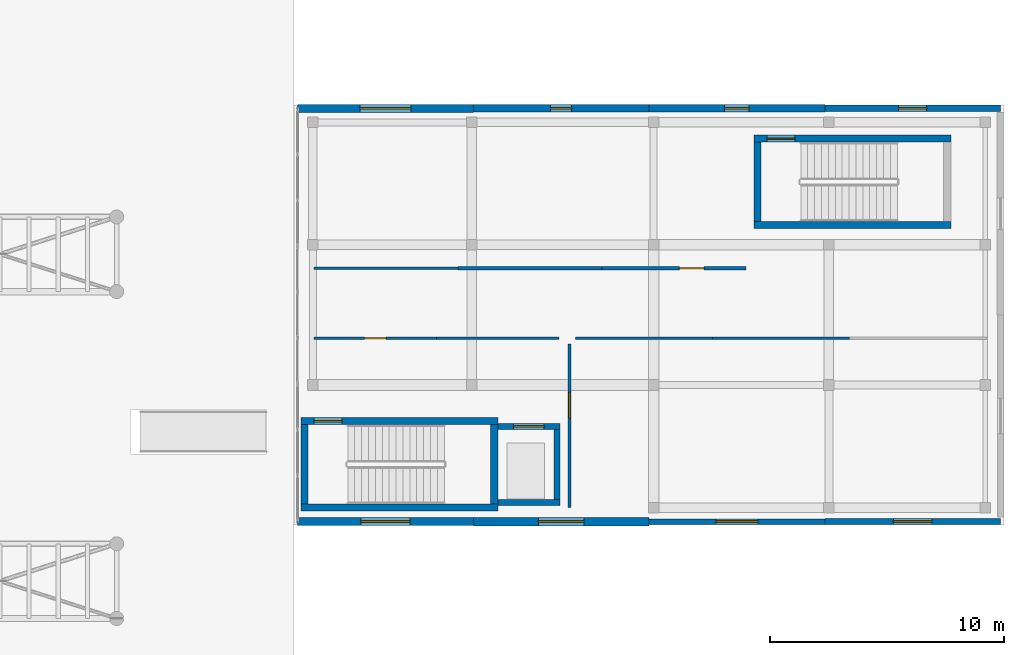
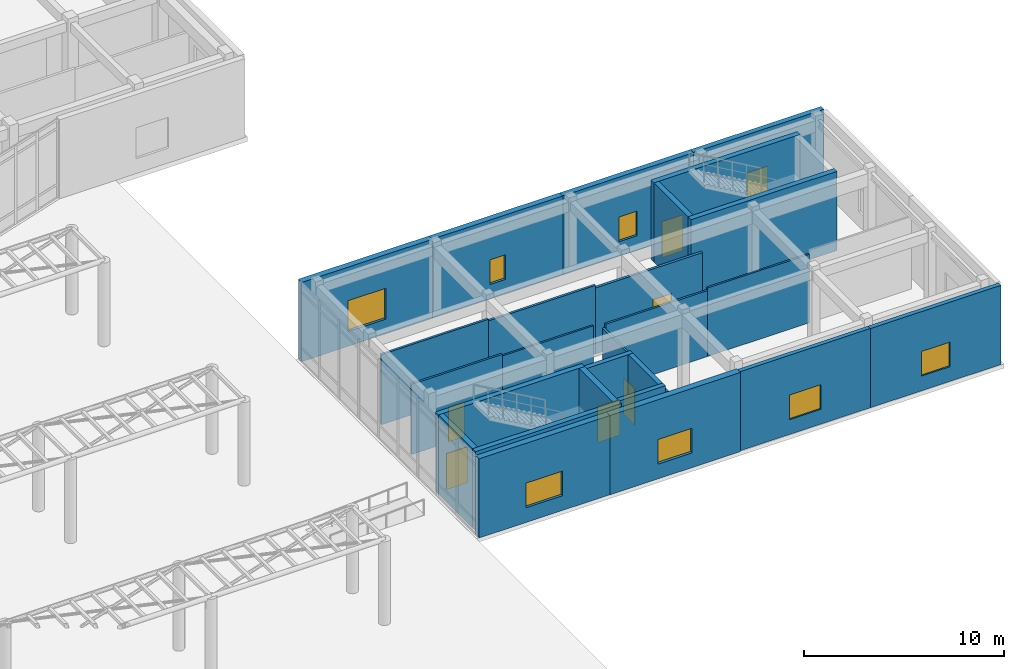
# One storey, part 106 of 121: 26 walls, 8 windows, 6 doors, 14 openings.
"""IFC4 building model written with IfcOpenShell, lengths in metres."""

from ifc_helpers import new_model, si_unit, direction, frame, frame_2d, origin, place, context, subcontext, project, spatial, rectangle, extrude, material, layer, layer_set, type_object, element, fill, save


model = new_model("IFC4")

# Units and contexts
model_context = context("Model", 3, precision=1e-05, world=origin(), true_north=direction((0.0, 1.0)))
body_context = subcontext(model_context, "Body", "Model", "MODEL_VIEW")
ifc_project = project(units=[si_unit("LENGTHUNIT", "METRE"), si_unit("AREAUNIT", "SQUARE_METRE"), si_unit("VOLUMEUNIT", "CUBIC_METRE"), si_unit("PLANEANGLEUNIT", "RADIAN"), si_unit("MASSUNIT", "GRAM", prefix="KILO")], contexts=[model_context])

# Site, building, storey
site_placement = place(None, origin())
site = spatial("IfcSite", under=ifc_project, at=site_placement, CompositionType="ELEMENT")
building_placement = place(site_placement, origin())
building = spatial("IfcBuilding", under=site, at=building_placement, Name="Valcora Specialist Clinic", CompositionType="ELEMENT")
storey_placement = place(building_placement, origin())
storey = spatial("IfcBuildingStorey", under=building, at=storey_placement, Name="L00", CompositionType="ELEMENT", Elevation=0.0)

# Wall
ifc_material_1 = material(Name="Concrete C40/50", Category="concrete")
ifc_layer_1 = layer(ifc_material_1, 0.300048828125)
ifc_layer_set_1 = layer_set([ifc_layer_1], Name="Concrete C40/50")
wall_type_1 = type_object("IfcWallType", Name="TY-WL-CR300", PredefinedType="SHEAR", material=ifc_layer_set_1)
wall_1_placement = place(storey_placement, frame((131.89990234375, 38.75, 0.0), z_axis=(0.0, 0.0, 1.0), x_axis=(1.0, 0.0, 0.0)))
element("IfcWall", 1, at=wall_1_placement, inside=storey, type_object=wall_type_1, Name="Core shear wall WL-CR-C-V3A-L00-S", PredefinedType="SHEAR", context=body_context, shape_type="SweptSolid", body=[
    extrude(rectangle(XDim=8.420166015625, YDim=0.300048828125, at=frame_2d((4.2099609375, 0.0))), origin(), (0.0, 0.0, 1.0), 4.824951171875),
])

# Wall, opening, door
wall_2_placement = place(storey_placement, frame((131.89990234375, 42.449951171875, 0.0), z_axis=(0.0, 0.0, 1.0), x_axis=(1.0, 0.0, 0.0)))
wall_2 = element("IfcWall", 2, at=wall_2_placement, inside=storey, type_object=wall_type_1, Name="Core shear wall WL-CR-C-V3A-L00-N", PredefinedType="SHEAR", context=body_context, shape_type="SweptSolid", body=[
    extrude(rectangle(XDim=8.420166015625, YDim=0.300048828125, at=frame_2d((4.2099609375, 0.0))), origin(), (0.0, 0.0, 1.0), 4.824951171875),
])
opening_1_placement = place(wall_2_placement, frame((0.550048828125, 0.0, 0.0)))
opening_1 = element("IfcOpeningElement", 3, at=opening_1_placement, cuts=wall_2, Name="Opening DR-FD-120", PredefinedType="OPENING", context=body_context, shape_type="SweptSolid", body=[
    extrude(rectangle(XDim=1.199951171875, YDim=2.199951171875, at=frame_2d((0.60009765625, 1.10009765625))), frame((0.0, 0.159912109375, 0.0), z_axis=(0.0, -1.0, 0.0), x_axis=(1.0, 0.0, 0.0)), (0.0, 0.0, 1.0), 0.320068359375),
])
ifc_material_2 = material(Name="Galvanized Hollow Metal Door Steel ASTM A653", Category="steel")
door_type_1 = type_object("IfcDoorType", Name="TY-DR-ST120", OperationType="NOTDEFINED", PredefinedType="DOOR", material=ifc_material_2)
door_1_placement = place(opening_1_placement, origin())
door_1 = element("IfcDoor", 4, at=door_1_placement, inside=storey, type_object=door_type_1, Name="Exit stair fire door C-V3A L00", OperationType="SINGLE_SWING_LEFT", OverallHeight=2.199951171875, OverallWidth=1.199951171875, PredefinedType="DOOR", context=body_context, shape_type="SweptSolid", body=[
    extrude(rectangle(XDim=1.199951171875, YDim=2.199951171875, at=frame_2d((0.60009765625, 1.10009765625))), frame((0.0, 0.02490234375, 0.0), z_axis=(0.0, -1.0, 0.0), x_axis=(1.0, 0.0, 0.0)), (0.0, 0.0, 1.0), 0.050048828125),
])
fill(opening_1, door_1)

# Walls
wall_3_placement = place(storey_placement, frame((132.050048828125, 38.902099609375, 0.0), z_axis=(0.0, 0.0, 1.0), x_axis=(0.0, 1.0, 0.0)))
element("IfcWall", 5, at=wall_3_placement, inside=storey, type_object=wall_type_1, Name="Core shear wall WL-CR-C-V3A-L00-W", PredefinedType="SHEAR", context=body_context, shape_type="SweptSolid", body=[
    extrude(rectangle(XDim=3.39599609375, YDim=0.300048828125, at=frame_2d((1.697998046875, 0.0))), origin(), (0.0, 0.0, 1.0), 4.824951171875),
])
wall_4_placement = place(storey_placement, frame((151.300048828125, 50.85009765625, 0.0), z_axis=(0.0, 0.0, 1.0), x_axis=(1.0, 0.0, 0.0)))
element("IfcWall", 6, at=wall_4_placement, inside=storey, type_object=wall_type_1, Name="Core shear wall WL-CR-C-V3B-L00-S", PredefinedType="SHEAR", context=body_context, shape_type="SweptSolid", body=[
    extrude(rectangle(XDim=8.419921875, YDim=0.300048828125, at=frame_2d((4.2099609375, 0.0))), origin(), (0.0, 0.0, 1.0), 4.824951171875),
])

# Wall, opening, door
wall_5_placement = place(storey_placement, frame((151.300048828125, 54.550048828125, 0.0), z_axis=(0.0, 0.0, 1.0), x_axis=(1.0, 0.0, 0.0)))
wall_5 = element("IfcWall", 7, at=wall_5_placement, inside=storey, type_object=wall_type_1, Name="Core shear wall WL-CR-C-V3B-L00-N", PredefinedType="SHEAR", context=body_context, shape_type="SweptSolid", body=[
    extrude(rectangle(XDim=8.419921875, YDim=0.300048828125, at=frame_2d((4.2099609375, 0.0))), origin(), (0.0, 0.0, 1.0), 4.824951171875),
])
opening_2_placement = place(wall_5_placement, frame((0.550048828125, 0.0, 0.0)))
opening_2 = element("IfcOpeningElement", 8, at=opening_2_placement, cuts=wall_5, Name="Opening DR-FD-120", PredefinedType="OPENING", context=body_context, shape_type="SweptSolid", body=[
    extrude(rectangle(XDim=1.199951171875, YDim=2.199951171875, at=frame_2d((0.60009765625, 1.10009765625))), frame((0.0, 0.159912109375, 0.0), z_axis=(0.0, -1.0, 0.0), x_axis=(1.0, 0.0, 0.0)), (0.0, 0.0, 1.0), 0.320068359375),
])
door_2_placement = place(opening_2_placement, origin())
door_2 = element("IfcDoor", 9, at=door_2_placement, inside=storey, type_object=door_type_1, Name="Exit stair fire door C-V3B L00", OperationType="SINGLE_SWING_LEFT", OverallHeight=2.199951171875, OverallWidth=1.199951171875, PredefinedType="DOOR", context=body_context, shape_type="SweptSolid", body=[
    extrude(rectangle(XDim=1.199951171875, YDim=2.199951171875, at=frame_2d((0.60009765625, 1.10009765625))), frame((0.0, 0.02490234375, 0.0), z_axis=(0.0, -1.0, 0.0), x_axis=(1.0, 0.0, 0.0)), (0.0, 0.0, 1.0), 0.050048828125),
])
fill(opening_2, door_2)

# Walls
wall_6_placement = place(storey_placement, frame((151.449951171875, 51.001953125, 0.0), z_axis=(0.0, 0.0, 1.0), x_axis=(0.0, 1.0, 0.0)))
element("IfcWall", 10, at=wall_6_placement, inside=storey, type_object=wall_type_1, Name="Core shear wall WL-CR-C-V3B-L00-W", PredefinedType="SHEAR", context=body_context, shape_type="SweptSolid", body=[
    extrude(rectangle(XDim=3.39599609375, YDim=0.300048828125, at=frame_2d((1.697998046875, 0.0))), origin(), (0.0, 0.0, 1.0), 4.824951171875),
])
ifc_layer_2 = layer(ifc_material_1, 0.320068359375)
ifc_layer_set_2 = layer_set([ifc_layer_2], Name="Concrete C40/50")
wall_type_2 = type_object("IfcWallType", Name="TY-WL-CR320", PredefinedType="SHEAR", material=ifc_layer_set_2)
wall_7_placement = place(storey_placement, frame((140.159912109375, 38.902099609375, 0.0), z_axis=(0.0, 0.0, 1.0), x_axis=(0.0, 1.0, 0.0)))
element("IfcWall", 11, at=wall_7_placement, inside=storey, type_object=wall_type_2, Name="Core shear wall WL-CR-C-V3A-L00-E", PredefinedType="SHEAR", context=body_context, shape_type="SweptSolid", body=[
    extrude(rectangle(XDim=3.39599609375, YDim=0.320068359375, at=frame_2d((1.697998046875, 0.0))), origin(), (0.0, 0.0, 1.0), 4.824951171875),
])

# Wall, opening, window
ifc_material_3 = material(Name="Extruded Jalisco Clay Brick Masonry", Category="masonry")
ifc_layer_3 = layer(ifc_material_3, 0.235107421875)
ifc_layer_set_3 = layer_set([ifc_layer_3], Name="Extruded Jalisco Clay Brick Masonry")
wall_type_3 = type_object("IfcWallType", Name="TY-WL-EW235", PredefinedType="SOLIDWALL", material=ifc_layer_set_3)
wall_8_placement = place(storey_placement, frame((154.324951171875, 38.14990234375, 0.0), z_axis=(0.0, 0.0, 1.0), x_axis=(-1.0, 0.0, 0.0)))
wall_8 = element("IfcWall", 12, at=wall_8_placement, inside=storey, type_object=wall_type_3, Name="Exterior wall WL-EXT-L00-0110", PredefinedType="SOLIDWALL", context=body_context, shape_type="SweptSolid", body=[
    extrude(rectangle(XDim=7.52490234375, YDim=0.235107421875, at=frame_2d((3.762451171875, 0.0))), origin(), (0.0, 0.0, 1.0), 4.824951171875),
])
opening_3_placement = place(wall_8_placement, frame((2.862060546875, 0.0, 0.89990234375)))
opening_3 = element("IfcOpeningElement", 13, at=opening_3_placement, cuts=wall_8, Name="Opening WN-07", PredefinedType="OPENING", context=body_context, shape_type="SweptSolid", body=[
    extrude(rectangle(XDim=1.800048828125, YDim=1.5, at=frame_2d((0.89990234375, 0.75))), frame((0.0, 0.12744140625, 0.0), z_axis=(0.0, -1.0, 0.0), x_axis=(1.0, 0.0, 0.0)), (0.0, 0.0, 1.0), 0.255126953125),
])
ifc_material_4 = material(Name="Low-E Laminated Insulating Glass", Category="glass")
window_type_1 = type_object("IfcWindowType", Name="TY-WN-07", PartitioningType="SINGLE_PANEL", PredefinedType="WINDOW", material=ifc_material_4)
window_1_placement = place(opening_3_placement, origin())
window_1 = element("IfcWindow", 14, at=window_1_placement, inside=storey, type_object=window_type_1, Name="Facade window WN-L00-0091", OverallHeight=1.5, OverallWidth=1.800048828125, PartitioningType="SINGLE_PANEL", PredefinedType="WINDOW", context=body_context, shape_type="SweptSolid", body=[
    extrude(rectangle(XDim=1.800048828125, YDim=1.5, at=frame_2d((0.89990234375, 0.75))), frame((0.0, 0.030029296875, 0.0), z_axis=(0.0, -1.0, 0.0), x_axis=(1.0, 0.0, 0.0)), (0.0, 0.0, 1.0), 0.06005859375),
])
fill(opening_3, window_1)

ifc_layer_4 = layer(ifc_material_3, 0.25)
ifc_layer_set_4 = layer_set([ifc_layer_4], Name="Extruded Jalisco Clay Brick Masonry")
wall_type_4 = type_object("IfcWallType", Name="TY-WL-EW250", PredefinedType="SOLIDWALL", material=ifc_layer_set_4)
wall_9_placement = place(storey_placement, frame((161.85009765625, 38.14990234375, 0.0), z_axis=(0.0, 0.0, 1.0), x_axis=(-1.0, 0.0, 0.0)))
wall_9 = element("IfcWall", 15, at=wall_9_placement, inside=storey, type_object=wall_type_4, Name="Exterior wall WL-EXT-L00-0109", PredefinedType="SOLIDWALL", context=body_context, shape_type="SweptSolid", body=[
    extrude(rectangle(XDim=7.525146484375, YDim=0.25, at=frame_2d((3.7626953125, 0.0))), origin(), (0.0, 0.0, 1.0), 4.824951171875),
])
opening_4_placement = place(wall_9_placement, frame((2.93798828125, 0.0, 0.89990234375)))
opening_4 = element("IfcOpeningElement", 16, at=opening_4_placement, cuts=wall_9, Name="Opening WN-06", PredefinedType="OPENING", context=body_context, shape_type="SweptSolid", body=[
    extrude(rectangle(XDim=1.64990234375, YDim=1.5, at=frame_2d((0.824951171875, 0.75))), frame((0.0, 0.135009765625, 0.0), z_axis=(0.0, -1.0, 0.0), x_axis=(1.0, 0.0, 0.0)), (0.0, 0.0, 1.0), 0.27001953125),
])
window_type_2 = type_object("IfcWindowType", Name="TY-WN-06", PartitioningType="SINGLE_PANEL", PredefinedType="WINDOW", material=ifc_material_4)
window_2_placement = place(opening_4_placement, origin())
window_2 = element("IfcWindow", 17, at=window_2_placement, inside=storey, type_object=window_type_2, Name="Facade window WN-L00-0090", OverallHeight=1.5, OverallWidth=1.64990234375, PartitioningType="SINGLE_PANEL", PredefinedType="WINDOW", context=body_context, shape_type="SweptSolid", body=[
    extrude(rectangle(XDim=1.64990234375, YDim=1.5, at=frame_2d((0.824951171875, 0.75))), frame((0.0, 0.030029296875, 0.0), z_axis=(0.0, -1.0, 0.0), x_axis=(1.0, 0.0, 0.0)), (0.0, 0.0, 1.0), 0.06005859375),
])
fill(opening_4, window_2)

ifc_layer_5 = layer(ifc_material_3, 0.294921875)
ifc_layer_set_5 = layer_set([ifc_layer_5], Name="Extruded Jalisco Clay Brick Masonry")
wall_type_5 = type_object("IfcWallType", Name="TY-WL-EW295", PredefinedType="SOLIDWALL", material=ifc_layer_set_5)
wall_10_placement = place(storey_placement, frame((154.324951171875, 55.85009765625, 0.0), z_axis=(0.0, 0.0, 1.0), x_axis=(1.0, 0.0, 0.0)))
wall_10 = element("IfcWall", 18, at=wall_10_placement, inside=storey, type_object=wall_type_5, Name="Exterior wall WL-EXT-L00-0106", PredefinedType="SOLIDWALL", context=body_context, shape_type="SweptSolid", body=[
    extrude(rectangle(XDim=7.525146484375, YDim=0.294921875, at=frame_2d((3.7626953125, 0.0))), origin(), (0.0, 0.0, 1.0), 4.824951171875),
])
opening_5_placement = place(wall_10_placement, frame((3.1630859375, 0.0, 0.89990234375)))
opening_5 = element("IfcOpeningElement", 19, at=opening_5_placement, cuts=wall_10, Name="Opening WN-03", PredefinedType="OPENING", context=body_context, shape_type="SweptSolid", body=[
    extrude(rectangle(XDim=1.199951171875, YDim=1.5, at=frame_2d((0.60009765625, 0.75))), frame((0.0, 0.157470703125, 0.0), z_axis=(0.0, -1.0, 0.0), x_axis=(1.0, 0.0, 0.0)), (0.0, 0.0, 1.0), 0.31494140625),
])
window_type_3 = type_object("IfcWindowType", Name="TY-WN-03", PartitioningType="SINGLE_PANEL", PredefinedType="WINDOW", material=ifc_material_4)
window_3_placement = place(opening_5_placement, origin())
window_3 = element("IfcWindow", 20, at=window_3_placement, inside=storey, type_object=window_type_3, Name="Facade window WN-L00-0087", OverallHeight=1.5, OverallWidth=1.199951171875, PartitioningType="SINGLE_PANEL", PredefinedType="WINDOW", context=body_context, shape_type="SweptSolid", body=[
    extrude(rectangle(XDim=1.199951171875, YDim=1.5, at=frame_2d((0.60009765625, 0.75))), frame((0.0, 0.030029296875, 0.0), z_axis=(0.0, -1.0, 0.0), x_axis=(1.0, 0.0, 0.0)), (0.0, 0.0, 1.0), 0.06005859375),
])
fill(opening_5, window_3)

ifc_layer_6 = layer(ifc_material_3, 0.31005859375)
ifc_layer_set_6 = layer_set([ifc_layer_6], Name="Extruded Jalisco Clay Brick Masonry")
wall_type_6 = type_object("IfcWallType", Name="TY-WL-EW310", PredefinedType="SOLIDWALL", material=ifc_layer_set_6)
wall_11_placement = place(storey_placement, frame((146.800048828125, 55.85009765625, 0.0), z_axis=(0.0, 0.0, 1.0), x_axis=(1.0, 0.0, 0.0)))
wall_11 = element("IfcWall", 21, at=wall_11_placement, inside=storey, type_object=wall_type_6, Name="Exterior wall WL-EXT-L00-0105", PredefinedType="SOLIDWALL", context=body_context, shape_type="SweptSolid", body=[
    extrude(rectangle(XDim=7.52490234375, YDim=0.31005859375, at=frame_2d((3.762451171875, 0.0))), origin(), (0.0, 0.0, 1.0), 4.824951171875),
])
opening_6_placement = place(wall_11_placement, frame((3.237060546875, 0.0, 0.89990234375)))
opening_6 = element("IfcOpeningElement", 22, at=opening_6_placement, cuts=wall_11, Name="Opening WN-02", PredefinedType="OPENING", context=body_context, shape_type="SweptSolid", body=[
    extrude(rectangle(XDim=1.050048828125, YDim=1.5, at=frame_2d((0.52490234375, 0.75))), frame((0.0, 0.1650390625, 0.0), z_axis=(0.0, -1.0, 0.0), x_axis=(1.0, 0.0, 0.0)), (0.0, 0.0, 1.0), 0.330078125),
])
window_type_4 = type_object("IfcWindowType", Name="TY-WN-02", PartitioningType="SINGLE_PANEL", PredefinedType="WINDOW", material=ifc_material_4)
window_4_placement = place(opening_6_placement, origin())
window_4 = element("IfcWindow", 23, at=window_4_placement, inside=storey, type_object=window_type_4, Name="Facade window WN-L00-0086", OverallHeight=1.5, OverallWidth=1.050048828125, PartitioningType="SINGLE_PANEL", PredefinedType="WINDOW", context=body_context, shape_type="SweptSolid", body=[
    extrude(rectangle(XDim=1.050048828125, YDim=1.5, at=frame_2d((0.52490234375, 0.75))), frame((0.0, 0.030029296875, 0.0), z_axis=(0.0, -1.0, 0.0), x_axis=(1.0, 0.0, 0.0)), (0.0, 0.0, 1.0), 0.06005859375),
])
fill(opening_6, window_4)

ifc_layer_7 = layer(ifc_material_3, 0.324951171875)
ifc_layer_set_7 = layer_set([ifc_layer_7], Name="Extruded Jalisco Clay Brick Masonry")
wall_type_7 = type_object("IfcWallType", Name="TY-WL-EW325", PredefinedType="SOLIDWALL", material=ifc_layer_set_7)
wall_12_placement = place(storey_placement, frame((139.27490234375, 55.85009765625, 0.0), z_axis=(0.0, 0.0, 1.0), x_axis=(1.0, 0.0, 0.0)))
wall_12 = element("IfcWall", 24, at=wall_12_placement, inside=storey, type_object=wall_type_7, Name="Exterior wall WL-EXT-L00-0104", PredefinedType="SOLIDWALL", context=body_context, shape_type="SweptSolid", body=[
    extrude(rectangle(XDim=7.525146484375, YDim=0.324951171875, at=frame_2d((3.7626953125, 0.0))), origin(), (0.0, 0.0, 1.0), 4.824951171875),
])
opening_7_placement = place(wall_12_placement, frame((3.31298828125, 0.0, 0.89990234375)))
opening_7 = element("IfcOpeningElement", 25, at=opening_7_placement, cuts=wall_12, Name="Opening WN-01", PredefinedType="OPENING", context=body_context, shape_type="SweptSolid", body=[
    extrude(rectangle(XDim=0.89990234375, YDim=1.5, at=frame_2d((0.449951171875, 0.75))), frame((0.0, 0.17236328125, 0.0), z_axis=(0.0, -1.0, 0.0), x_axis=(1.0, 0.0, 0.0)), (0.0, 0.0, 1.0), 0.344970703125),
])
window_type_5 = type_object("IfcWindowType", Name="TY-WN-01", PartitioningType="SINGLE_PANEL", PredefinedType="WINDOW", material=ifc_material_4)
window_5_placement = place(opening_7_placement, origin())
window_5 = element("IfcWindow", 26, at=window_5_placement, inside=storey, type_object=window_type_5, Name="Facade window WN-L00-0085", OverallHeight=1.5, OverallWidth=0.89990234375, PartitioningType="SINGLE_PANEL", PredefinedType="WINDOW", context=body_context, shape_type="SweptSolid", body=[
    extrude(rectangle(XDim=0.89990234375, YDim=1.5, at=frame_2d((0.449951171875, 0.75))), frame((0.0, 0.030029296875, 0.0), z_axis=(0.0, -1.0, 0.0), x_axis=(1.0, 0.0, 0.0)), (0.0, 0.0, 1.0), 0.06005859375),
])
fill(opening_7, window_5)

ifc_layer_8 = layer(ifc_material_3, 0.340087890625)
ifc_layer_set_8 = layer_set([ifc_layer_8], Name="Extruded Jalisco Clay Brick Masonry")
wall_type_8 = type_object("IfcWallType", Name="TY-WL-EW340", PredefinedType="SOLIDWALL", material=ifc_layer_set_8)
wall_13_placement = place(storey_placement, frame((131.75, 55.85009765625, 0.0), z_axis=(0.0, 0.0, 1.0), x_axis=(1.0, 0.0, 0.0)))
wall_13 = element("IfcWall", 27, at=wall_13_placement, inside=storey, type_object=wall_type_8, Name="Exterior wall WL-EXT-L00-0103", PredefinedType="SOLIDWALL", context=body_context, shape_type="SweptSolid", body=[
    extrude(rectangle(XDim=7.52490234375, YDim=0.340087890625, at=frame_2d((3.762451171875, 0.0))), origin(), (0.0, 0.0, 1.0), 4.824951171875),
])
opening_8_placement = place(wall_13_placement, frame((2.673095703125, 0.0, 0.89990234375)))
opening_8 = element("IfcOpeningElement", 28, at=opening_8_placement, cuts=wall_13, Name="Opening WN-42", PredefinedType="OPENING", context=body_context, shape_type="SweptSolid", body=[
    extrude(rectangle(XDim=2.179931640625, YDim=1.8798828125, at=frame_2d((1.08984375, 0.93994140625))), frame((0.0, 0.179931640625, 0.0), z_axis=(0.0, -1.0, 0.0), x_axis=(1.0, 0.0, 0.0)), (0.0, 0.0, 1.0), 0.360107421875),
])
window_type_6 = type_object("IfcWindowType", Name="TY-WN-42", PartitioningType="SINGLE_PANEL", PredefinedType="WINDOW", material=ifc_material_4)
window_6_placement = place(opening_8_placement, origin())
window_6 = element("IfcWindow", 29, at=window_6_placement, inside=storey, type_object=window_type_6, Name="Facade window WN-L00-0084", OverallHeight=1.8798828125, OverallWidth=2.179931640625, PartitioningType="SINGLE_PANEL", PredefinedType="WINDOW", context=body_context, shape_type="SweptSolid", body=[
    extrude(rectangle(XDim=2.179931640625, YDim=1.8798828125, at=frame_2d((1.08984375, 0.93994140625))), frame((0.0, 0.030029296875, 0.0), z_axis=(0.0, -1.0, 0.0), x_axis=(1.0, 0.0, 0.0)), (0.0, 0.0, 1.0), 0.06005859375),
])
fill(opening_8, window_6)

ifc_layer_9 = layer(ifc_material_3, 0.35498046875)
ifc_layer_set_9 = layer_set([ifc_layer_9], Name="Extruded Jalisco Clay Brick Masonry")
wall_type_9 = type_object("IfcWallType", Name="TY-WL-EW355", PredefinedType="SOLIDWALL", material=ifc_layer_set_9)
wall_14_placement = place(storey_placement, frame((139.27490234375, 38.14990234375, 0.0), z_axis=(0.0, 0.0, 1.0), x_axis=(-1.0, 0.0, 0.0)))
wall_14 = element("IfcWall", 30, at=wall_14_placement, inside=storey, type_object=wall_type_9, Name="Exterior wall WL-EXT-L00-0112", PredefinedType="SOLIDWALL", context=body_context, shape_type="SweptSolid", body=[
    extrude(rectangle(XDim=7.52490234375, YDim=0.35498046875, at=frame_2d((3.762451171875, 0.0))), origin(), (0.0, 0.0, 1.0), 4.824951171875),
])
opening_9_placement = place(wall_14_placement, frame((2.712890625, 0.0, 0.89990234375)))
opening_9 = element("IfcOpeningElement", 31, at=opening_9_placement, cuts=wall_14, Name="Opening WN-09", PredefinedType="OPENING", context=body_context, shape_type="SweptSolid", body=[
    extrude(rectangle(XDim=2.10009765625, YDim=1.5, at=frame_2d((1.050048828125, 0.75))), frame((0.0, 0.1875, 0.0), z_axis=(0.0, -1.0, 0.0), x_axis=(1.0, 0.0, 0.0)), (0.0, 0.0, 1.0), 0.375),
])
window_type_7 = type_object("IfcWindowType", Name="TY-WN-09", PartitioningType="SINGLE_PANEL", PredefinedType="WINDOW", material=ifc_material_4)
window_7_placement = place(opening_9_placement, origin())
window_7 = element("IfcWindow", 32, at=window_7_placement, inside=storey, type_object=window_type_7, Name="Facade window WN-L00-0093", OverallHeight=1.5, OverallWidth=2.10009765625, PartitioningType="SINGLE_PANEL", PredefinedType="WINDOW", context=body_context, shape_type="SweptSolid", body=[
    extrude(rectangle(XDim=2.10009765625, YDim=1.5, at=frame_2d((1.050048828125, 0.75))), frame((0.0, 0.030029296875, 0.0), z_axis=(0.0, -1.0, 0.0), x_axis=(1.0, 0.0, 0.0)), (0.0, 0.0, 1.0), 0.06005859375),
])
fill(opening_9, window_7)

ifc_layer_10 = layer(ifc_material_3, 0.3701171875)
ifc_layer_set_10 = layer_set([ifc_layer_10], Name="Extruded Jalisco Clay Brick Masonry")
wall_type_10 = type_object("IfcWallType", Name="TY-WL-EW370", PredefinedType="SOLIDWALL", material=ifc_layer_set_10)
wall_15_placement = place(storey_placement, frame((146.800048828125, 38.14990234375, 0.0), z_axis=(0.0, 0.0, 1.0), x_axis=(-1.0, 0.0, 0.0)))
wall_15 = element("IfcWall", 33, at=wall_15_placement, inside=storey, type_object=wall_type_10, Name="Exterior wall WL-EXT-L00-0111", PredefinedType="SOLIDWALL", context=body_context, shape_type="SweptSolid", body=[
    extrude(rectangle(XDim=7.525146484375, YDim=0.3701171875, at=frame_2d((3.7626953125, 0.0))), origin(), (0.0, 0.0, 1.0), 4.824951171875),
])
opening_10_placement = place(wall_15_placement, frame((2.7880859375, 0.0, 0.89990234375)))
opening_10 = element("IfcOpeningElement", 34, at=opening_10_placement, cuts=wall_15, Name="Opening WN-08", PredefinedType="OPENING", context=body_context, shape_type="SweptSolid", body=[
    extrude(rectangle(XDim=1.949951171875, YDim=1.5, at=frame_2d((0.97509765625, 0.75))), frame((0.0, 0.195068359375, 0.0), z_axis=(0.0, -1.0, 0.0), x_axis=(1.0, 0.0, 0.0)), (0.0, 0.0, 1.0), 0.39013671875),
])
window_type_8 = type_object("IfcWindowType", Name="TY-WN-08", PartitioningType="SINGLE_PANEL", PredefinedType="WINDOW", material=ifc_material_4)
window_8_placement = place(opening_10_placement, origin())
window_8 = element("IfcWindow", 35, at=window_8_placement, inside=storey, type_object=window_type_8, Name="Facade window WN-L00-0092", OverallHeight=1.5, OverallWidth=1.949951171875, PartitioningType="SINGLE_PANEL", PredefinedType="WINDOW", context=body_context, shape_type="SweptSolid", body=[
    extrude(rectangle(XDim=1.949951171875, YDim=1.5, at=frame_2d((0.97509765625, 0.75))), frame((0.0, 0.030029296875, 0.0), z_axis=(0.0, -1.0, 0.0), x_axis=(1.0, 0.0, 0.0)), (0.0, 0.0, 1.0), 0.06005859375),
])
fill(opening_10, window_8)

# Walls
ifc_material_5 = material(Name="Gypsum Board Partition Assembly")
ifc_layer_11 = layer(ifc_material_5, 0.10498046875)
ifc_layer_set_11 = layer_set([ifc_layer_11], Name="Gypsum Board Partition Assembly")
wall_type_11 = type_object("IfcWallType", Name="TY-WL-PT105", PredefinedType="PARTITIONING", material=ifc_layer_set_11)
wall_16_placement = place(storey_placement, frame((149.51708984375, 46.0, 0.0), z_axis=(0.0, 0.0, 1.0), x_axis=(1.0, 0.0, 0.0)))
element("IfcWall", 36, at=wall_16_placement, inside=storey, type_object=wall_type_11, Name="Interior partition WL-INT-L00-0064", PredefinedType="PARTITIONING", context=body_context, shape_type="SweptSolid", body=[
    extrude(rectangle(XDim=5.865966796875, YDim=0.10498046875, at=frame_2d((2.93310546875, 0.0))), origin(), (0.0, 0.0, 1.0), 4.175048828125),
])
wall_17_placement = place(storey_placement, frame((137.699951171875, 46.0, 0.0), z_axis=(0.0, 0.0, 1.0), x_axis=(1.0, 0.0, 0.0)))
element("IfcWall", 37, at=wall_17_placement, inside=storey, type_object=wall_type_11, Name="Interior partition WL-INT-L00-0070", PredefinedType="PARTITIONING", context=body_context, shape_type="SweptSolid", body=[
    extrude(rectangle(XDim=5.25, YDim=0.10498046875, at=frame_2d((2.625, 0.0))), origin(), (0.0, 0.0, 1.0), 4.175048828125),
])
ifc_layer_12 = layer(ifc_material_5, 0.114990234375)
ifc_layer_set_12 = layer_set([ifc_layer_12], Name="Gypsum Board Partition Assembly")
wall_type_12 = type_object("IfcWallType", Name="TY-WL-PT115", PredefinedType="PARTITIONING", material=ifc_layer_set_12)
wall_18_placement = place(storey_placement, frame((143.64990234375, 46.0, 0.0), z_axis=(0.0, 0.0, 1.0), x_axis=(1.0, 0.0, 0.0)))
element("IfcWall", 38, at=wall_18_placement, inside=storey, type_object=wall_type_12, Name="Interior partition WL-INT-L00-0063", PredefinedType="PARTITIONING", context=body_context, shape_type="SweptSolid", body=[
    extrude(rectangle(XDim=5.8671875, YDim=0.114990234375, at=frame_2d((2.93359375, 0.0))), origin(), (0.0, 0.0, 1.0), 4.02490234375),
])

# Wall, opening, door
wall_19_placement = place(storey_placement, frame((132.449951171875, 46.0, 0.0), z_axis=(0.0, 0.0, 1.0), x_axis=(1.0, 0.0, 0.0)))
wall_19 = element("IfcWall", 39, at=wall_19_placement, inside=storey, type_object=wall_type_12, Name="Interior partition WL-INT-L00-0069", PredefinedType="PARTITIONING", context=body_context, shape_type="SweptSolid", body=[
    extrude(rectangle(XDim=5.25, YDim=0.114990234375, at=frame_2d((2.625, 0.0))), origin(), (0.0, 0.0, 1.0), 4.27490234375),
])
opening_11_placement = place(wall_19_placement, frame((2.1650390625, 0.0, 0.0)))
opening_11 = element("IfcOpeningElement", 40, at=opening_11_placement, cuts=wall_19, Name="Opening DR-WC-092", PredefinedType="OPENING", context=body_context, shape_type="SweptSolid", body=[
    extrude(rectangle(XDim=0.919921875, YDim=2.1201171875, at=frame_2d((0.4599609375, 1.06005859375))), frame((0.0, 0.0673828125, 0.0), z_axis=(0.0, -1.0, 0.0), x_axis=(1.0, 0.0, 0.0)), (0.0, 0.0, 1.0), 0.135009765625),
])
ifc_material_6 = material(Name="Glulam Conifer Class 24F", Category="wood")
door_type_2 = type_object("IfcDoorType", Name="TY-DR-WC092", OperationType="NOTDEFINED", PredefinedType="DOOR", material=ifc_material_6)
door_3_placement = place(opening_11_placement, origin())
door_3 = element("IfcDoor", 41, at=door_3_placement, inside=storey, type_object=door_type_2, Name="Interior door DR-INT-L00-0020", OperationType="SINGLE_SWING_RIGHT", OverallHeight=2.1201171875, OverallWidth=0.919921875, PredefinedType="DOOR", context=body_context, shape_type="SweptSolid", body=[
    extrude(rectangle(XDim=0.919921875, YDim=2.1201171875, at=frame_2d((0.4599609375, 1.06005859375))), frame((0.0, 0.02490234375, 0.0), z_axis=(0.0, -1.0, 0.0), x_axis=(1.0, 0.0, 0.0)), (0.0, 0.0, 1.0), 0.050048828125),
])
fill(opening_11, door_3)

ifc_layer_13 = layer(ifc_material_5, 0.125)
ifc_layer_set_13 = layer_set([ifc_layer_13], Name="Gypsum Board Partition Assembly")
wall_type_13 = type_object("IfcWallType", Name="TY-WL-PT125", PredefinedType="PARTITIONING", material=ifc_layer_set_13)
wall_20_placement = place(storey_placement, frame((143.39990234375, 38.75, 0.0), z_axis=(0.0, 0.0, 1.0), x_axis=(0.0, 1.0, 0.0)))
wall_20 = element("IfcWall", 42, at=wall_20_placement, inside=storey, type_object=wall_type_13, Name="Interior partition WL-INT-L00-0062", PredefinedType="PARTITIONING", context=body_context, shape_type="SweptSolid", body=[
    extrude(rectangle(XDim=7.0, YDim=0.125, at=frame_2d((3.5, 0.0))), origin(), (0.0, 0.0, 1.0), 4.02490234375),
])
opening_12_placement = place(wall_20_placement, frame((3.8349609375, 0.0, 0.0)))
opening_12 = element("IfcOpeningElement", 43, at=opening_12_placement, cuts=wall_20, Name="Opening DR-CN-110", PredefinedType="OPENING", context=body_context, shape_type="SweptSolid", body=[
    extrude(rectangle(XDim=1.10009765625, YDim=2.199951171875, at=frame_2d((0.550048828125, 1.10009765625))), frame((0.0, 0.072509765625, 0.0), z_axis=(0.0, -1.0, 0.0), x_axis=(1.0, 0.0, 0.0)), (0.0, 0.0, 1.0), 0.14501953125),
])
door_type_3 = type_object("IfcDoorType", Name="TY-DR-CN110", OperationType="NOTDEFINED", PredefinedType="DOOR", material=ifc_material_6)
door_4_placement = place(opening_12_placement, origin())
door_4 = element("IfcDoor", 44, at=door_4_placement, inside=storey, type_object=door_type_3, Name="Interior door DR-INT-L00-0018", OperationType="SINGLE_SWING_RIGHT", OverallHeight=2.199951171875, OverallWidth=1.10009765625, PredefinedType="DOOR", context=body_context, shape_type="SweptSolid", body=[
    extrude(rectangle(XDim=1.10009765625, YDim=2.199951171875, at=frame_2d((0.550048828125, 1.10009765625))), frame((0.0, 0.02490234375, 0.0), z_axis=(0.0, -1.0, 0.0), x_axis=(1.0, 0.0, 0.0)), (0.0, 0.0, 1.0), 0.050048828125),
])
fill(opening_12, door_4)

# Walls
wall_21_placement = place(storey_placement, frame((138.616943359375, 49.0, 0.0), z_axis=(0.0, 0.0, 1.0), x_axis=(-1.0, 0.0, 0.0)))
element("IfcWall", 45, at=wall_21_placement, inside=storey, type_object=wall_type_13, Name="Interior partition WL-INT-L00-0068", PredefinedType="PARTITIONING", context=body_context, shape_type="SweptSolid", body=[
    extrude(rectangle(XDim=6.1669921875, YDim=0.125, at=frame_2d((3.08349609375, 0.0))), origin(), (0.0, 0.0, 1.0), 4.27490234375),
])
ifc_layer_14 = layer(ifc_material_5, 0.135009765625)
ifc_layer_set_14 = layer_set([ifc_layer_14], Name="Gypsum Board Partition Assembly")
wall_type_14 = type_object("IfcWallType", Name="TY-WL-PT135", PredefinedType="PARTITIONING", material=ifc_layer_set_14)
wall_22_placement = place(storey_placement, frame((144.782958984375, 49.0, 0.0), z_axis=(0.0, 0.0, 1.0), x_axis=(-1.0, 0.0, 0.0)))
element("IfcWall", 46, at=wall_22_placement, inside=storey, type_object=wall_type_14, Name="Interior partition WL-INT-L00-0067", PredefinedType="PARTITIONING", context=body_context, shape_type="SweptSolid", body=[
    extrude(rectangle(XDim=6.166015625, YDim=0.135009765625, at=frame_2d((3.0830078125, 0.0))), origin(), (0.0, 0.0, 1.0), 4.175048828125),
])

# Wall, opening, door
ifc_layer_15 = layer(ifc_material_5, 0.14501953125)
ifc_layer_set_15 = layer_set([ifc_layer_15], Name="Gypsum Board Partition Assembly")
wall_type_15 = type_object("IfcWallType", Name="TY-WL-PT145", PredefinedType="PARTITIONING", material=ifc_layer_set_15)
wall_23_placement = place(storey_placement, frame((150.949951171875, 49.0, 0.0), z_axis=(0.0, 0.0, 1.0), x_axis=(-1.0, 0.0, 0.0)))
wall_23 = element("IfcWall", 47, at=wall_23_placement, inside=storey, type_object=wall_type_15, Name="Interior partition WL-INT-L00-0066", PredefinedType="PARTITIONING", context=body_context, shape_type="SweptSolid", body=[
    extrude(rectangle(XDim=6.1669921875, YDim=0.14501953125, at=frame_2d((3.08349609375, 0.0))), origin(), (0.0, 0.0, 1.0), 4.02490234375),
])
opening_13_placement = place(wall_23_placement, frame((1.787109375, 0.0, 0.0)))
opening_13 = element("IfcOpeningElement", 48, at=opening_13_placement, cuts=wall_23, Name="Opening DR-CN-106", PredefinedType="OPENING", context=body_context, shape_type="SweptSolid", body=[
    extrude(rectangle(XDim=1.06005859375, YDim=2.14990234375, at=frame_2d((0.530029296875, 1.074951171875))), frame((0.0, 0.08251953125, 0.0), z_axis=(0.0, -1.0, 0.0), x_axis=(1.0, 0.0, 0.0)), (0.0, 0.0, 1.0), 0.1650390625),
])
door_type_4 = type_object("IfcDoorType", Name="TY-DR-CN106", OperationType="NOTDEFINED", PredefinedType="DOOR", material=ifc_material_6)
door_5_placement = place(opening_13_placement, origin())
door_5 = element("IfcDoor", 49, at=door_5_placement, inside=storey, type_object=door_type_4, Name="Interior door DR-INT-L00-0019", OperationType="SINGLE_SWING_LEFT", OverallHeight=2.14990234375, OverallWidth=1.06005859375, PredefinedType="DOOR", context=body_context, shape_type="SweptSolid", body=[
    extrude(rectangle(XDim=1.06005859375, YDim=2.14990234375, at=frame_2d((0.530029296875, 1.074951171875))), frame((0.0, 0.02490234375, 0.0), z_axis=(0.0, -1.0, 0.0), x_axis=(1.0, 0.0, 0.0)), (0.0, 0.0, 1.0), 0.050048828125),
])
fill(opening_13, door_5)

# Wall
ifc_layer_16 = layer(ifc_material_1, 0.260009765625)
ifc_layer_set_16 = layer_set([ifc_layer_16], Name="Concrete C40/50")
wall_type_16 = type_object("IfcWallType", Name="TY-WL-SH260", PredefinedType="SHEAR", material=ifc_layer_set_16)
wall_24_placement = place(storey_placement, frame((140.322021484375, 38.969970703125, 0.0), z_axis=(0.0, 0.0, 1.0), x_axis=(1.0, 0.0, 0.0)))
element("IfcWall", 50, at=wall_24_placement, inside=storey, type_object=wall_type_16, Name="Lift shaft wall WL-LF-LF-03-L00-LS", PredefinedType="SHEAR", context=body_context, shape_type="SweptSolid", body=[
    extrude(rectangle(XDim=2.657958984375, YDim=0.260009765625, at=frame_2d((1.3291015625, 0.0))), origin(), (0.0, 0.0, 1.0), 4.824951171875),
])

# Wall, opening, door
wall_25_placement = place(storey_placement, frame((140.322021484375, 42.22998046875, 0.0), z_axis=(0.0, 0.0, 1.0), x_axis=(1.0, 0.0, 0.0)))
wall_25 = element("IfcWall", 51, at=wall_25_placement, inside=storey, type_object=wall_type_16, Name="Lift shaft wall WL-LF-LF-03-L00-LN", PredefinedType="SHEAR", context=body_context, shape_type="SweptSolid", body=[
    extrude(rectangle(XDim=2.657958984375, YDim=0.260009765625, at=frame_2d((1.3291015625, 0.0))), origin(), (0.0, 0.0, 1.0), 4.824951171875),
])
opening_14_placement = place(wall_25_placement, frame((0.678955078125, 0.0, 0.0)))
opening_14 = element("IfcOpeningElement", 52, at=opening_14_placement, cuts=wall_25, Name="Opening LD-130", PredefinedType="OPENING", context=body_context, shape_type="SweptSolid", body=[
    extrude(rectangle(XDim=1.300048828125, YDim=2.199951171875, at=frame_2d((0.64990234375, 1.10009765625))), frame((0.0, 0.139892578125, 0.0), z_axis=(0.0, -1.0, 0.0), x_axis=(1.0, 0.0, 0.0)), (0.0, 0.0, 1.0), 0.280029296875),
])
ifc_material_7 = material(Name="Stainless Steel AISI 316", Category="steel")
door_type_5 = type_object("IfcDoorType", Name="TY-LD-130", OperationType="NOTDEFINED", PredefinedType="DOOR", material=ifc_material_7)
door_6_placement = place(opening_14_placement, origin())
door_6 = element("IfcDoor", 53, at=door_6_placement, inside=storey, type_object=door_type_5, Name="Lift landing sliding door LF-03 L00", OperationType="SLIDING_TO_RIGHT", OverallHeight=2.199951171875, OverallWidth=1.300048828125, PredefinedType="DOOR", context=body_context, shape_type="SweptSolid", body=[
    extrude(rectangle(XDim=1.300048828125, YDim=2.199951171875, at=frame_2d((0.64990234375, 1.10009765625))), frame((0.0, 0.02490234375, 0.0), z_axis=(0.0, -1.0, 0.0), x_axis=(1.0, 0.0, 0.0)), (0.0, 0.0, 1.0), 0.050048828125),
])
fill(opening_14, door_6)

# Wall
wall_26_placement = place(storey_placement, frame((142.85009765625, 39.10205078125, 0.0), z_axis=(0.0, 0.0, 1.0), x_axis=(0.0, 1.0, 0.0)))
element("IfcWall", 54, at=wall_26_placement, inside=storey, type_object=wall_type_16, Name="Lift shaft wall WL-LF-LF-03-L00-LE", PredefinedType="SHEAR", context=body_context, shape_type="SweptSolid", body=[
    extrude(rectangle(XDim=2.995849609375, YDim=0.260009765625, at=frame_2d((1.498046875, 0.0))), origin(), (0.0, 0.0, 1.0), 4.824951171875),
])

save(model, "model.ifc")
